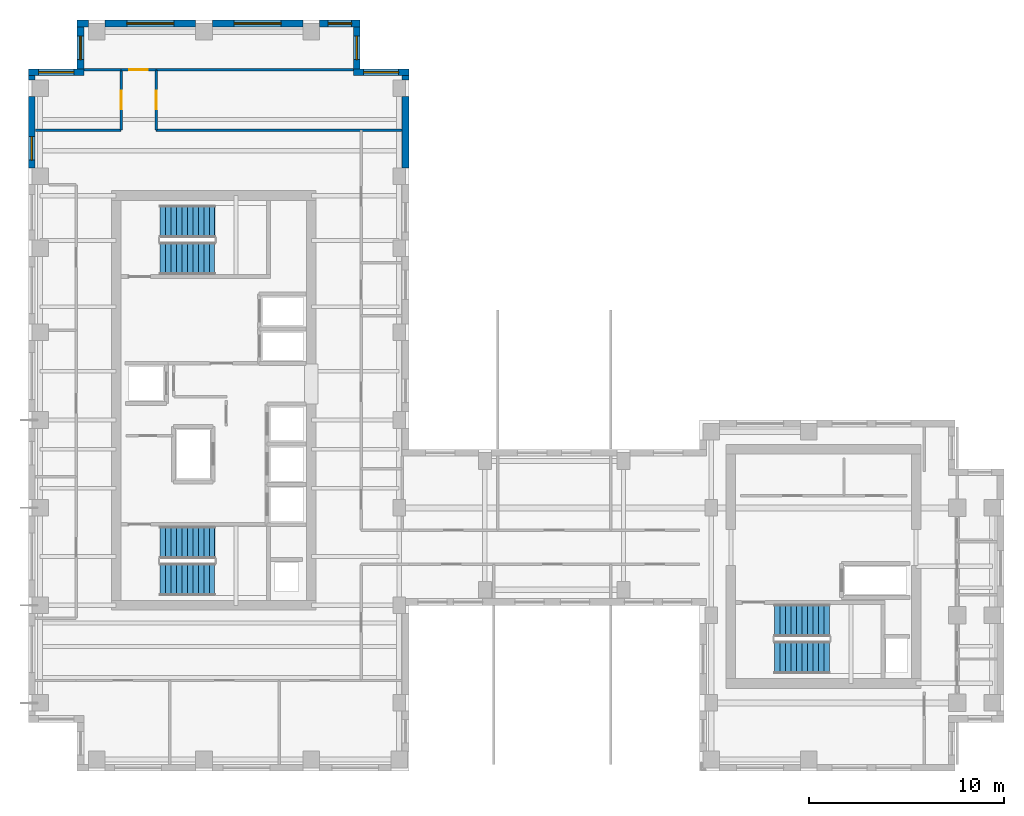
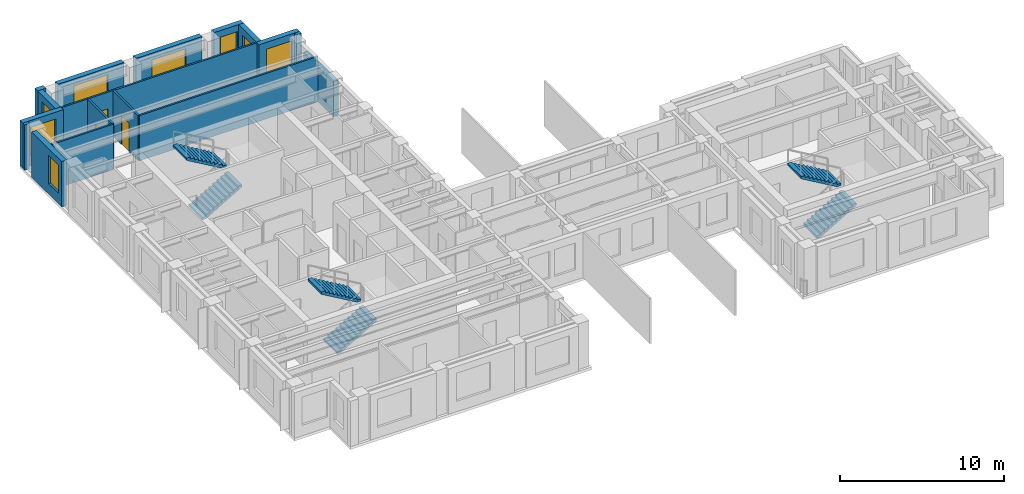
# One storey, part 8 of 10: 19 walls, 8 windows, 6 stair flights, 3 doors, 11 openings, 3 elements without a shape of their own.
"""IFC4 building model written with IfcOpenShell, lengths in metres."""

from ifc_helpers import new_model, si_unit, direction, frame, frame_2d, origin, place, context, subcontext, project, spatial, polyline, rectangle, outline, extrude, source, transform, mapped, material, layer, layer_set, type_object, element, fill, aggregate, save


model = new_model("IFC4")

# Units and contexts
model_context = context("Model", 3, precision=1e-05, world=origin(), true_north=direction((0.0, 1.0)))
body_context = subcontext(model_context, "Body", "Model", "MODEL_VIEW")
ifc_project = project(units=[si_unit("LENGTHUNIT", "METRE"), si_unit("AREAUNIT", "SQUARE_METRE"), si_unit("VOLUMEUNIT", "CUBIC_METRE"), si_unit("PLANEANGLEUNIT", "RADIAN"), si_unit("MASSUNIT", "GRAM", prefix="KILO")], contexts=[model_context])

# Site, building, storey
site_placement = place(None, origin())
site = spatial("IfcSite", under=ifc_project, at=site_placement, CompositionType="ELEMENT")
building_placement = place(site_placement, origin())
building = spatial("IfcBuilding", under=site, at=building_placement, Name="Kharzan Plaza Tower", CompositionType="ELEMENT")
storey_placement = place(building_placement, frame((0.0, 0.0, 230.39990234375)))
storey = spatial("IfcBuildingStorey", under=building, at=storey_placement, Name="L62", CompositionType="ELEMENT", Elevation=230.39990234375)

# Wall, opening, window
ifc_material_1 = material(Name="Concrete C40/50", Category="concrete")
ifc_layer_1 = layer(ifc_material_1, 0.35009765625)
ifc_layer_set_1 = layer_set([ifc_layer_1], Name="Concrete C40/50")
wall_type_1 = type_object("IfcWallType", Name="WL-EXT-MAS-Z4", PredefinedType="SOLIDWALL", material=ifc_layer_set_1)
wall_1_placement = place(storey_placement, frame((19.5, 35.824951171875, 0.0), z_axis=(0.0, 0.0, 1.0), x_axis=(-1.0, 0.0, 0.0)))
wall_1 = element("IfcWall", 1, at=wall_1_placement, inside=storey, type_object=wall_type_1, Name="L62 Masonry-Frame Exterior Wall 07", PredefinedType="SOLIDWALL", context=body_context, shape_type="SweptSolid", body=[
    extrude(rectangle(XDim=2.85009765625, YDim=0.35009765625, at=frame_2d((1.425048828125, 0.0))), origin(), (0.0, 0.0, 1.0), 3.385009765625),
])
opening_1_placement = place(wall_1_placement, frame((0.52490234375, 0.0, 0.780029296875)))
opening_1 = element("IfcOpeningElement", 2, at=opening_1_placement, cuts=wall_1, Name="Opening W1", PredefinedType="OPENING", context=body_context, shape_type="SweptSolid", body=[
    extrude(rectangle(XDim=1.800048828125, YDim=2.10009765625, at=frame_2d((0.89990234375, 1.050048828125))), frame((0.0, 0.18505859375, 0.0), z_axis=(0.0, -1.0, 0.0), x_axis=(1.0, 0.0, 0.0)), (0.0, 0.0, 1.0), 0.3701171875),
])
ifc_material_2 = material(Name="Low-E Double Glazing", Category="glass")
window_type_1 = type_object("IfcWindowType", Name="WN-REC-1800x2100", PartitioningType="SINGLE_PANEL", PredefinedType="WINDOW", material=ifc_material_2)
shared_shape_1 = source(origin(), body_context, "Body", "SweptSolid", [
    extrude(rectangle(XDim=1.800048828125, YDim=2.10009765625, at=frame_2d((0.89990234375, 1.050048828125))), frame((0.0, 0.030029296875, 0.0), z_axis=(0.0, -1.0, 0.0), x_axis=(1.0, 0.0, 0.0)), (0.0, 0.0, 1.0), 0.06005859375),
])
window_1_placement = place(opening_1_placement, origin())
window_1 = element("IfcWindow", 3, at=window_1_placement, inside=storey, type_object=window_type_1, Name="L62 Recessed Solar-Control Window 07-1", OverallHeight=2.10009765625, OverallWidth=1.800048828125, PartitioningType="SINGLE_PANEL", PredefinedType="WINDOW", context=body_context, shape_type="MappedRepresentation", body=[
    mapped(shared_shape_1, transform((0.0, 0.0, 0.0), x_axis=(1.0, 0.0, 0.0), y_axis=(0.0, 1.0, 0.0), z_axis=(0.0, 0.0, 1.0))),
])
fill(opening_1, window_1)

wall_2_placement = place(storey_placement, frame((16.824951171875, 35.998046875, 0.0), z_axis=(0.0, 0.0, 1.0), x_axis=(0.0, 1.0, 0.0)))
wall_2 = element("IfcWall", 4, at=wall_2_placement, inside=storey, type_object=wall_type_1, Name="L62 Masonry-Frame Exterior Wall 08", PredefinedType="SOLIDWALL", context=body_context, shape_type="SweptSolid", body=[
    extrude(rectangle(XDim=2.154052734375, YDim=0.35009765625, at=frame_2d((1.0771484375, 0.0))), origin(), (0.0, 0.0, 1.0), 3.385009765625),
])
opening_2_placement = place(wall_2_placement, frame((0.47705078125, 0.0, 0.780029296875)))
opening_2 = element("IfcOpeningElement", 5, at=opening_2_placement, cuts=wall_2, Name="Opening W3", PredefinedType="OPENING", context=body_context, shape_type="SweptSolid", body=[
    extrude(rectangle(XDim=1.199951171875, YDim=2.10009765625, at=frame_2d((0.60009765625, 1.050048828125))), frame((0.0, 0.18505859375, 0.0), z_axis=(0.0, -1.0, 0.0), x_axis=(1.0, 0.0, 0.0)), (0.0, 0.0, 1.0), 0.3701171875),
])
window_type_2 = type_object("IfcWindowType", Name="WN-REC-1200x2100", PartitioningType="SINGLE_PANEL", PredefinedType="WINDOW", material=ifc_material_2)
shared_shape_2 = source(origin(), body_context, "Body", "SweptSolid", [
    extrude(rectangle(XDim=1.199951171875, YDim=2.10009765625, at=frame_2d((0.60009765625, 1.050048828125))), frame((0.0, 0.030029296875, 0.0), z_axis=(0.0, -1.0, 0.0), x_axis=(1.0, 0.0, 0.0)), (0.0, 0.0, 1.0), 0.06005859375),
])
window_2_placement = place(opening_2_placement, origin())
window_2 = element("IfcWindow", 6, at=window_2_placement, inside=storey, type_object=window_type_2, Name="L62 Recessed Solar-Control Window 08-1", OverallHeight=2.10009765625, OverallWidth=1.199951171875, PartitioningType="SINGLE_PANEL", PredefinedType="WINDOW", context=body_context, shape_type="MappedRepresentation", body=[
    mapped(shared_shape_2, transform((0.0, 0.0, 0.0), x_axis=(1.0, 0.0, 0.0), y_axis=(0.0, 1.0, 0.0), z_axis=(0.0, 0.0, 1.0))),
])
fill(opening_2, window_2)

wall_3_placement = place(storey_placement, frame((17.0, 38.324951171875, 0.0), z_axis=(0.0, 0.0, 1.0), x_axis=(-1.0, 0.0, 0.0)))
wall_3 = element("IfcWall", 7, at=wall_3_placement, inside=storey, type_object=wall_type_1, Name="L62 Masonry-Frame Exterior Wall 09", PredefinedType="SOLIDWALL", context=body_context, shape_type="SweptSolid", body=[
    extrude(rectangle(XDim=2.076904296875, YDim=0.35009765625, at=frame_2d((1.03857421875, 0.0))), origin(), (0.0, 0.0, 1.0), 3.385009765625),
])
opening_3_placement = place(wall_3_placement, frame((0.4384765625, 0.0, 0.780029296875)))
opening_3 = element("IfcOpeningElement", 8, at=opening_3_placement, cuts=wall_3, Name="Opening W3", PredefinedType="OPENING", context=body_context, shape_type="SweptSolid", body=[
    extrude(rectangle(XDim=1.199951171875, YDim=2.10009765625, at=frame_2d((0.60009765625, 1.050048828125))), frame((0.0, 0.18505859375, 0.0), z_axis=(0.0, -1.0, 0.0), x_axis=(1.0, 0.0, 0.0)), (0.0, 0.0, 1.0), 0.3701171875),
])
window_3_placement = place(opening_3_placement, origin())
window_3 = element("IfcWindow", 9, at=window_3_placement, inside=storey, type_object=window_type_2, Name="L62 Recessed Solar-Control Window 09-1", OverallHeight=2.10009765625, OverallWidth=1.199951171875, PartitioningType="SINGLE_PANEL", PredefinedType="WINDOW", context=body_context, shape_type="MappedRepresentation", body=[
    mapped(shared_shape_2, transform((0.0, 0.0, 0.0), x_axis=(1.0, 0.0, 0.0), y_axis=(0.0, 1.0, 0.0), z_axis=(0.0, 0.0, 1.0))),
])
fill(opening_3, window_3)

wall_4_placement = place(storey_placement, frame((14.076904296875, 38.324951171875, 0.0), z_axis=(0.0, 0.0, 1.0), x_axis=(-1.0, 0.0, 0.0)))
wall_4 = element("IfcWall", 10, at=wall_4_placement, inside=storey, type_object=wall_type_1, Name="L62 Masonry-Frame Exterior Wall 10", PredefinedType="SOLIDWALL", context=body_context, shape_type="SweptSolid", body=[
    extrude(rectangle(XDim=4.65380859375, YDim=0.35009765625, at=frame_2d((2.326904296875, 0.0))), origin(), (0.0, 0.0, 1.0), 3.385009765625),
])
opening_4_placement = place(wall_4_placement, frame((1.126953125, 0.0, 0.780029296875)))
opening_4 = element("IfcOpeningElement", 11, at=opening_4_placement, cuts=wall_4, Name="Opening W2", PredefinedType="OPENING", context=body_context, shape_type="SweptSolid", body=[
    extrude(rectangle(XDim=2.39990234375, YDim=2.10009765625, at=frame_2d((1.199951171875, 1.050048828125))), frame((0.0, 0.18505859375, 0.0), z_axis=(0.0, -1.0, 0.0), x_axis=(1.0, 0.0, 0.0)), (0.0, 0.0, 1.0), 0.3701171875),
])
window_type_3 = type_object("IfcWindowType", Name="WN-REC-2400x2100", PartitioningType="SINGLE_PANEL", PredefinedType="WINDOW", material=ifc_material_2)
shared_shape_3 = source(origin(), body_context, "Body", "SweptSolid", [
    extrude(rectangle(XDim=2.39990234375, YDim=2.10009765625, at=frame_2d((1.199951171875, 1.050048828125))), frame((0.0, 0.030029296875, 0.0), z_axis=(0.0, -1.0, 0.0), x_axis=(1.0, 0.0, 0.0)), (0.0, 0.0, 1.0), 0.06005859375),
])
window_4_placement = place(opening_4_placement, origin())
window_4 = element("IfcWindow", 12, at=window_4_placement, inside=storey, type_object=window_type_3, Name="L62 Wide Recessed Solar-Control Window 10-1", OverallHeight=2.10009765625, OverallWidth=2.39990234375, PartitioningType="SINGLE_PANEL", PredefinedType="WINDOW", context=body_context, shape_type="MappedRepresentation", body=[
    mapped(shared_shape_3, transform((0.0, 0.0, 0.0), x_axis=(1.0, 0.0, 0.0), y_axis=(0.0, 1.0, 0.0), z_axis=(0.0, 0.0, 1.0))),
])
fill(opening_4, window_4)

wall_5_placement = place(storey_placement, frame((8.576904296875, 38.324951171875, 0.0), z_axis=(0.0, 0.0, 1.0), x_axis=(-1.0, 0.0, 0.0)))
wall_5 = element("IfcWall", 13, at=wall_5_placement, inside=storey, type_object=wall_type_1, Name="L62 Masonry-Frame Exterior Wall 11", PredefinedType="SOLIDWALL", context=body_context, shape_type="SweptSolid", body=[
    extrude(rectangle(XDim=4.65380859375, YDim=0.35009765625, at=frame_2d((2.326904296875, 0.0))), origin(), (0.0, 0.0, 1.0), 3.385009765625),
])
opening_5_placement = place(wall_5_placement, frame((1.126953125, 0.0, 0.780029296875)))
opening_5 = element("IfcOpeningElement", 14, at=opening_5_placement, cuts=wall_5, Name="Opening W2", PredefinedType="OPENING", context=body_context, shape_type="SweptSolid", body=[
    extrude(rectangle(XDim=2.39990234375, YDim=2.10009765625, at=frame_2d((1.199951171875, 1.050048828125))), frame((0.0, 0.18505859375, 0.0), z_axis=(0.0, -1.0, 0.0), x_axis=(1.0, 0.0, 0.0)), (0.0, 0.0, 1.0), 0.3701171875),
])
window_5_placement = place(opening_5_placement, origin())
window_5 = element("IfcWindow", 15, at=window_5_placement, inside=storey, type_object=window_type_3, Name="L62 Wide Recessed Solar-Control Window 11-1", OverallHeight=2.10009765625, OverallWidth=2.39990234375, PartitioningType="SINGLE_PANEL", PredefinedType="WINDOW", context=body_context, shape_type="MappedRepresentation", body=[
    mapped(shared_shape_3, transform((0.0, 0.0, 0.0), x_axis=(1.0, 0.0, 0.0), y_axis=(0.0, 1.0, 0.0), z_axis=(0.0, 0.0, 1.0))),
])
fill(opening_5, window_5)

wall_6_placement = place(storey_placement, frame((2.675048828125, 38.152099609375, 0.0), z_axis=(0.0, 0.0, 1.0), x_axis=(0.0, -1.0, 0.0)))
wall_6 = element("IfcWall", 16, at=wall_6_placement, inside=storey, type_object=wall_type_1, Name="L62 Masonry-Frame Exterior Wall 13", PredefinedType="SOLIDWALL", context=body_context, shape_type="SweptSolid", body=[
    extrude(rectangle(XDim=2.154052734375, YDim=0.35009765625, at=frame_2d((1.0771484375, 0.0))), origin(), (0.0, 0.0, 1.0), 3.385009765625),
])
opening_6_placement = place(wall_6_placement, frame((0.47705078125, 0.0, 0.780029296875)))
opening_6 = element("IfcOpeningElement", 17, at=opening_6_placement, cuts=wall_6, Name="Opening W3", PredefinedType="OPENING", context=body_context, shape_type="SweptSolid", body=[
    extrude(rectangle(XDim=1.199951171875, YDim=2.10009765625, at=frame_2d((0.60009765625, 1.050048828125))), frame((0.0, 0.18505859375, 0.0), z_axis=(0.0, -1.0, 0.0), x_axis=(1.0, 0.0, 0.0)), (0.0, 0.0, 1.0), 0.3701171875),
])
window_6_placement = place(opening_6_placement, origin())
window_6 = element("IfcWindow", 18, at=window_6_placement, inside=storey, type_object=window_type_2, Name="L62 Recessed Solar-Control Window 13-1", OverallHeight=2.10009765625, OverallWidth=1.199951171875, PartitioningType="SINGLE_PANEL", PredefinedType="WINDOW", context=body_context, shape_type="MappedRepresentation", body=[
    mapped(shared_shape_2, transform((0.0, 0.0, 0.0), x_axis=(1.0, 0.0, 0.0), y_axis=(0.0, 1.0, 0.0), z_axis=(0.0, 0.0, 1.0))),
])
fill(opening_6, window_6)

wall_7_placement = place(storey_placement, frame((2.85009765625, 35.824951171875, 0.0), z_axis=(0.0, 0.0, 1.0), x_axis=(-1.0, 0.0, 0.0)))
wall_7 = element("IfcWall", 19, at=wall_7_placement, inside=storey, type_object=wall_type_1, Name="L62 Masonry-Frame Exterior Wall 14", PredefinedType="SOLIDWALL", context=body_context, shape_type="SweptSolid", body=[
    extrude(rectangle(XDim=2.85009765625, YDim=0.35009765625, at=frame_2d((1.425048828125, 0.0))), origin(), (0.0, 0.0, 1.0), 3.385009765625),
])
opening_7_placement = place(wall_7_placement, frame((0.52490234375, 0.0, 0.780029296875)))
opening_7 = element("IfcOpeningElement", 20, at=opening_7_placement, cuts=wall_7, Name="Opening W1", PredefinedType="OPENING", context=body_context, shape_type="SweptSolid", body=[
    extrude(rectangle(XDim=1.800048828125, YDim=2.10009765625, at=frame_2d((0.89990234375, 1.050048828125))), frame((0.0, 0.18505859375, 0.0), z_axis=(0.0, -1.0, 0.0), x_axis=(1.0, 0.0, 0.0)), (0.0, 0.0, 1.0), 0.3701171875),
])
window_7_placement = place(opening_7_placement, origin())
window_7 = element("IfcWindow", 21, at=window_7_placement, inside=storey, type_object=window_type_1, Name="L62 Recessed Solar-Control Window 14-1", OverallHeight=2.10009765625, OverallWidth=1.800048828125, PartitioningType="SINGLE_PANEL", PredefinedType="WINDOW", context=body_context, shape_type="MappedRepresentation", body=[
    mapped(shared_shape_1, transform((0.0, 0.0, 0.0), x_axis=(1.0, 0.0, 0.0), y_axis=(0.0, 1.0, 0.0), z_axis=(0.0, 0.0, 1.0))),
])
fill(opening_7, window_7)

wall_8_placement = place(storey_placement, frame((0.175048828125, 34.576904296875, 0.0), z_axis=(0.0, 0.0, 1.0), x_axis=(0.0, -1.0, 0.0)))
wall_8 = element("IfcWall", 22, at=wall_8_placement, inside=storey, type_object=wall_type_1, Name="L62 Masonry-Frame Exterior Wall 16", PredefinedType="SOLIDWALL", context=body_context, shape_type="SweptSolid", body=[
    extrude(rectangle(XDim=3.65380859375, YDim=0.35009765625, at=frame_2d((1.826904296875, 0.0))), origin(), (0.0, 0.0, 1.0), 3.385009765625),
])
opening_8_placement = place(wall_8_placement, frame((2.055419921875, 0.0, 0.780029296875)))
opening_8 = element("IfcOpeningElement", 23, at=opening_8_placement, cuts=wall_8, Name="Opening W3", PredefinedType="OPENING", context=body_context, shape_type="SweptSolid", body=[
    extrude(rectangle(XDim=1.199951171875, YDim=2.10009765625, at=frame_2d((0.60009765625, 1.050048828125))), frame((0.0, 0.18505859375, 0.0), z_axis=(0.0, -1.0, 0.0), x_axis=(1.0, 0.0, 0.0)), (0.0, 0.0, 1.0), 0.3701171875),
])
window_8_placement = place(opening_8_placement, origin())
window_8 = element("IfcWindow", 24, at=window_8_placement, inside=storey, type_object=window_type_2, Name="L62 Recessed Solar-Control Window 16-1", OverallHeight=2.10009765625, OverallWidth=1.199951171875, PartitioningType="SINGLE_PANEL", PredefinedType="WINDOW", context=body_context, shape_type="MappedRepresentation", body=[
    mapped(shared_shape_2, transform((0.0, 0.0, 0.0), x_axis=(1.0, 0.0, 0.0), y_axis=(0.0, 1.0, 0.0), z_axis=(0.0, 0.0, 1.0))),
])
fill(opening_8, window_8)

# Wall, opening, door
ifc_material_3 = material(Name="Fire-Rated Gypsum Board Partition", Category="gypsum")
ifc_layer_2 = layer(ifc_material_3, 0.125)
ifc_layer_set_2 = layer_set([ifc_layer_2], Name="Fire-Rated Gypsum Board Partition")
wall_type_2 = type_object("IfcWallType", Name="WL-INT-PART-125", PredefinedType="PARTITIONING", material=ifc_layer_set_2)
wall_9_placement = place(storey_placement, frame((6.550048828125, 32.85009765625, 0.0), z_axis=(0.0, 0.0, 1.0), x_axis=(0.0, 1.0, 0.0)))
wall_9 = element("IfcWall", 25, at=wall_9_placement, inside=storey, type_object=wall_type_2, Name="L62 Interior Partition SH-SPE-1", PredefinedType="PARTITIONING", context=body_context, shape_type="SweptSolid", body=[
    extrude(rectangle(XDim=3.099853515625, YDim=0.125, at=frame_2d((1.5498046875, 0.0))), origin(), (0.0, 0.0, 1.0), 3.385009765625),
])
opening_9_placement = place(wall_9_placement, frame((1.074951171875, 0.0, 0.0)))
opening_9 = element("IfcOpeningElement", 26, at=opening_9_placement, cuts=wall_9, Name="Opening OD1", PredefinedType="OPENING", context=body_context, shape_type="SweptSolid", body=[
    extrude(rectangle(XDim=0.949951171875, YDim=2.14990234375, at=frame_2d((0.47509765625, 1.074951171875))), frame((0.0, 0.072509765625, 0.0), z_axis=(0.0, -1.0, 0.0), x_axis=(1.0, 0.0, 0.0)), (0.0, 0.0, 1.0), 0.14501953125),
])
ifc_material_4 = material(Name="Acoustic Solid-Core Stained Oak", Category="timber")
door_type = type_object("IfcDoorType", Name="DR-OFF-SINGLE", OperationType="NOTDEFINED", PredefinedType="DOOR", material=ifc_material_4)
shared_shape_4 = source(origin(), body_context, "Body", "SweptSolid", [
    extrude(rectangle(XDim=0.949951171875, YDim=2.14990234375, at=frame_2d((0.47509765625, 1.074951171875))), frame((0.0, 0.02490234375, 0.0), z_axis=(0.0, -1.0, 0.0), x_axis=(1.0, 0.0, 0.0)), (0.0, 0.0, 1.0), 0.050048828125),
])
door_1_placement = place(opening_9_placement, origin())
door_1 = element("IfcDoor", 27, at=door_1_placement, inside=storey, type_object=door_type, Name="L62 Materials Testing Lab Door", OperationType="SINGLE_SWING_RIGHT", OverallHeight=2.14990234375, OverallWidth=0.949951171875, PredefinedType="DOOR", context=body_context, shape_type="MappedRepresentation", body=[
    mapped(shared_shape_4, transform((0.0, 0.0, 0.0), x_axis=(1.0, 0.0, 0.0), y_axis=(0.0, 1.0, 0.0), z_axis=(0.0, 0.0, 1.0))),
])
fill(opening_9, door_1)

wall_10_placement = place(storey_placement, frame((4.75, 35.949951171875, 0.0), z_axis=(0.0, 0.0, 1.0), x_axis=(1.0, 0.0, 0.0)))
wall_10 = element("IfcWall", 28, at=wall_10_placement, inside=storey, type_object=wall_type_2, Name="L62 Interior Partition SH-SPHD", PredefinedType="PARTITIONING", context=body_context, shape_type="SweptSolid", body=[
    extrude(rectangle(XDim=1.800048828125, YDim=0.125, at=frame_2d((0.89990234375, 0.0))), origin(), (0.0, 0.0, 1.0), 3.385009765625),
])
opening_10_placement = place(wall_10_placement, frame((0.425048828125, 0.0, 0.0)))
opening_10 = element("IfcOpeningElement", 29, at=opening_10_placement, cuts=wall_10, Name="Opening OD1", PredefinedType="OPENING", context=body_context, shape_type="SweptSolid", body=[
    extrude(rectangle(XDim=0.949951171875, YDim=2.14990234375, at=frame_2d((0.47509765625, 1.074951171875))), frame((0.0, 0.072509765625, 0.0), z_axis=(0.0, -1.0, 0.0), x_axis=(1.0, 0.0, 0.0)), (0.0, 0.0, 1.0), 0.14501953125),
])
door_2_placement = place(opening_10_placement, origin())
door_2 = element("IfcDoor", 30, at=door_2_placement, inside=storey, type_object=door_type, Name="L62 North Boardroom Door", OperationType="SINGLE_SWING_LEFT", OverallHeight=2.14990234375, OverallWidth=0.949951171875, PredefinedType="DOOR", context=body_context, shape_type="MappedRepresentation", body=[
    mapped(shared_shape_4, transform((0.0, 0.0, 0.0), x_axis=(1.0, 0.0, 0.0), y_axis=(0.0, 1.0, 0.0), z_axis=(0.0, 0.0, 1.0))),
])
fill(opening_10, door_2)

wall_11_placement = place(storey_placement, frame((4.75, 32.85009765625, 0.0), z_axis=(0.0, 0.0, 1.0), x_axis=(0.0, 1.0, 0.0)))
wall_11 = element("IfcWall", 31, at=wall_11_placement, inside=storey, type_object=wall_type_2, Name="L62 Interior Partition SH-SPW-1", PredefinedType="PARTITIONING", context=body_context, shape_type="SweptSolid", body=[
    extrude(rectangle(XDim=3.099853515625, YDim=0.125, at=frame_2d((1.5498046875, 0.0))), origin(), (0.0, 0.0, 1.0), 3.385009765625),
])
opening_11_placement = place(wall_11_placement, frame((1.074951171875, 0.0, 0.0)))
opening_11 = element("IfcOpeningElement", 32, at=opening_11_placement, cuts=wall_11, Name="Opening OD1", PredefinedType="OPENING", context=body_context, shape_type="SweptSolid", body=[
    extrude(rectangle(XDim=0.949951171875, YDim=2.14990234375, at=frame_2d((0.47509765625, 1.074951171875))), frame((0.0, 0.072509765625, 0.0), z_axis=(0.0, -1.0, 0.0), x_axis=(1.0, 0.0, 0.0)), (0.0, 0.0, 1.0), 0.14501953125),
])
door_3_placement = place(opening_11_placement, origin())
door_3 = element("IfcDoor", 33, at=door_3_placement, inside=storey, type_object=door_type, Name="L62 Staff Tea Pantry Door", OperationType="SINGLE_SWING_LEFT", OverallHeight=2.14990234375, OverallWidth=0.949951171875, PredefinedType="DOOR", context=body_context, shape_type="MappedRepresentation", body=[
    mapped(shared_shape_4, transform((0.0, 0.0, 0.0), x_axis=(1.0, 0.0, 0.0), y_axis=(0.0, 1.0, 0.0), z_axis=(0.0, 0.0, 1.0))),
])
fill(opening_11, door_3)

# Walls
shared_shape_5 = source(origin(), body_context, "Body", "SweptSolid", [
    extrude(rectangle(XDim=4.39794921875, YDim=0.125, at=frame_2d((2.198974609375, 0.0))), origin(), (0.0, 0.0, 1.0), 3.385009765625),
])
wall_12_placement = place(storey_placement, frame((0.35205078125, 32.85009765625, 0.0), z_axis=(0.0, 0.0, 1.0), x_axis=(1.0, 0.0, 0.0)))
element("IfcWall", 34, at=wall_12_placement, inside=storey, type_object=wall_type_2, Name="L62 Interior Partition SH-NNW", PredefinedType="PARTITIONING", context=body_context, shape_type="MappedRepresentation", body=[
    mapped(shared_shape_5, transform((0.0, 0.0, 0.0), x_axis=(1.0, 0.0, 0.0), y_axis=(0.0, 1.0, 0.0), z_axis=(0.0, 0.0, 1.0))),
])
shared_shape_6 = source(origin(), body_context, "Body", "SweptSolid", [
    extrude(rectangle(XDim=12.597900390625, YDim=0.125, at=frame_2d((6.298828125, 0.0))), origin(), (0.0, 0.0, 1.0), 3.385009765625),
])
wall_13_placement = place(storey_placement, frame((6.550048828125, 32.85009765625, 0.0), z_axis=(0.0, 0.0, 1.0), x_axis=(1.0, 0.0, 0.0)))
element("IfcWall", 35, at=wall_13_placement, inside=storey, type_object=wall_type_2, Name="L62 Interior Partition SH-NNE", PredefinedType="PARTITIONING", context=body_context, shape_type="MappedRepresentation", body=[
    mapped(shared_shape_6, transform((0.0, 0.0, 0.0), x_axis=(1.0, 0.0, 0.0), y_axis=(0.0, 1.0, 0.0), z_axis=(0.0, 0.0, 1.0))),
])
shared_shape_7 = source(origin(), body_context, "Body", "SweptSolid", [
    extrude(rectangle(XDim=0.576904296875, YDim=0.35009765625, at=frame_2d((0.28857421875, 0.0))), origin(), (0.0, 0.0, 1.0), 3.385009765625),
])
wall_14_placement = place(storey_placement, frame((3.076904296875, 38.324951171875, 0.0), z_axis=(0.0, 0.0, 1.0), x_axis=(-1.0, 0.0, 0.0)))
element("IfcWall", 36, at=wall_14_placement, inside=storey, type_object=wall_type_1, Name="L62 Masonry-Frame Exterior Wall 12", PredefinedType="SOLIDWALL", context=body_context, shape_type="MappedRepresentation", body=[
    mapped(shared_shape_7, transform((0.0, 0.0, 0.0), x_axis=(1.0, 0.0, 0.0), y_axis=(0.0, 1.0, 0.0), z_axis=(0.0, 0.0, 1.0))),
])
shared_shape_8 = source(origin(), body_context, "Body", "SweptSolid", [
    extrude(rectangle(XDim=0.22900390625, YDim=0.35009765625, at=frame_2d((0.114501953125, 0.0))), origin(), (0.0, 0.0, 1.0), 3.385009765625),
])
for number, where, z_axis, x_axis, name in (
    (37, (19.324951171875, 35.423095703125, 0.0), (0.0, 0.0, 1.0), (0.0, 1.0, 0.0), "L62 Masonry-Frame Exterior Wall 06"),
    (38, (0.175048828125, 35.652099609375, 0.0), (0.0, 0.0, 1.0), (0.0, -1.0, 0.0), "L62 Masonry-Frame Exterior Wall 15"),
):
    element("IfcWall", number, at=place(storey_placement, frame(where, z_axis=z_axis, x_axis=x_axis)), inside=storey, type_object=wall_type_1, Name=name, PredefinedType="SOLIDWALL", context=body_context, shape_type="MappedRepresentation", body=[
        mapped(shared_shape_8, transform((0.0, 0.0, 0.0), x_axis=(1.0, 0.0, 0.0), y_axis=(0.0, 1.0, 0.0), z_axis=(0.0, 0.0, 1.0))),
    ])
shared_shape_9 = source(origin(), body_context, "Body", "SweptSolid", [
    extrude(rectangle(XDim=3.65380859375, YDim=0.35009765625, at=frame_2d((1.826904296875, 0.0))), origin(), (0.0, 0.0, 1.0), 2.619140625),
])
wall_15_placement = place(storey_placement, frame((19.324951171875, 30.923095703125, 0.0), z_axis=(0.0, 0.0, 1.0), x_axis=(0.0, 1.0, 0.0)))
element("IfcWall", 39, at=wall_15_placement, inside=storey, type_object=wall_type_1, Name="L62 Masonry-Frame Exterior Wall 05", PredefinedType="SOLIDWALL", context=body_context, shape_type="MappedRepresentation", body=[
    mapped(shared_shape_9, transform((0.0, 0.0, 0.0), x_axis=(1.0, 0.0, 0.0), y_axis=(0.0, 1.0, 0.0), z_axis=(0.0, 0.0, 1.0))),
])
shared_shape_10 = source(origin(), body_context, "Body", "SweptSolid", [
    extrude(rectangle(XDim=10.099853515625, YDim=0.125, at=frame_2d((5.0498046875, 0.0))), origin(), (0.0, 0.0, 1.0), 3.385009765625),
])
wall_16_placement = place(storey_placement, frame((6.550048828125, 35.949951171875, 0.0), z_axis=(0.0, 0.0, 1.0), x_axis=(1.0, 0.0, 0.0)))
element("IfcWall", 40, at=wall_16_placement, inside=storey, type_object=wall_type_2, Name="L62 Interior Partition SH-SPHE", PredefinedType="PARTITIONING", context=body_context, shape_type="MappedRepresentation", body=[
    mapped(shared_shape_10, transform((0.0, 0.0, 0.0), x_axis=(1.0, 0.0, 0.0), y_axis=(0.0, 1.0, 0.0), z_axis=(0.0, 0.0, 1.0))),
])
shared_shape_11 = source(origin(), body_context, "Body", "SweptSolid", [
    extrude(rectangle(XDim=1.89990234375, YDim=0.125, at=frame_2d((0.949951171875, 0.0))), origin(), (0.0, 0.0, 1.0), 3.385009765625),
])
wall_17_placement = place(storey_placement, frame((2.85009765625, 35.949951171875, 0.0), z_axis=(0.0, 0.0, 1.0), x_axis=(1.0, 0.0, 0.0)))
element("IfcWall", 41, at=wall_17_placement, inside=storey, type_object=wall_type_2, Name="L62 Interior Partition SH-SPHW", PredefinedType="PARTITIONING", context=body_context, shape_type="MappedRepresentation", body=[
    mapped(shared_shape_11, transform((0.0, 0.0, 0.0), x_axis=(1.0, 0.0, 0.0), y_axis=(0.0, 1.0, 0.0), z_axis=(0.0, 0.0, 1.0))),
])

# Stair, stair flights
stair_type_1 = type_object("IfcStairType", Name="STR-ST-1", PredefinedType="HALF_TURN_STAIR", material=ifc_material_1)
stair_1_placement = place(storey_placement, origin())
stair_1 = element("IfcStair", 42, at=stair_1_placement, inside=storey, type_object=stair_type_1, Name="L62 Protected Exit Stair ST-1", PredefinedType="HALF_TURN_STAIR")
stair_flight_type = type_object("IfcStairFlightType", Name="SFL-1650-R173", PredefinedType="STRAIGHT", material=ifc_material_1)
shared_shape_12 = source(origin(), body_context, "Body", "SweptSolid", [
    extrude(outline(polyline([(-0.0029296875, -0.011962890625), (-0.0029296875, 0.0), (0.0, 0.0), (0.0, 0.16357421875), (0.280029296875, 0.16357421875), (0.280029296875, 0.3271484375), (0.56005859375, 0.3271484375), (0.56005859375, 0.49072265625), (0.840087890625, 0.49072265625), (0.840087890625, 0.654296875), (1.1201171875, 0.654296875), (1.1201171875, 0.81787109375), (1.400146484375, 0.81787109375), (1.400146484375, 0.9814453125), (1.68017578125, 0.9814453125), (1.68017578125, 1.14501953125), (1.960205078125, 1.14501953125), (1.960205078125, 1.30859375), (2.240234375, 1.30859375), (2.240234375, 1.47216796875), (2.520263671875, 1.47216796875), (2.520263671875, 1.6357421875), (2.80029296875, 1.6357421875), (2.80029296875, 1.79931640625), (2.80029296875, 1.462158203125), (0.297119140625, 0.0), (0.297119140625, -0.011962890625), (-0.0029296875, -0.011962890625)])), frame((0.0, 0.824951171875, 0.0), z_axis=(0.0, -1.0, 0.0), x_axis=(1.0, 0.0, 0.0)), (0.0, 0.0, 1.0), 1.64990234375),
])
stair_flight_1_placement = place(storey_placement, frame((6.75, 9.824951171875, 0.0), z_axis=(0.0, 0.0, 1.0), x_axis=(1.0, 0.0, 0.0)))
stair_flight_1 = element("IfcStairFlight", 43, at=stair_flight_1_placement, type_object=stair_flight_type, Name="ST-1 flight 1", NumberOfRisers=11, NumberOfTreads=10, PredefinedType="STRAIGHT", RiserHeight=0.163636364, TreadLength=0.28, context=body_context, shape_type="MappedRepresentation", body=[
    mapped(shared_shape_12, transform((0.0, 0.0, 0.0), x_axis=(1.0, 0.0, 0.0), y_axis=(0.0, 1.0, 0.0), z_axis=(0.0, 0.0, 1.0))),
])
stair_flight_2_placement = place(storey_placement, frame((9.550048828125, 11.72509765625, 1.800048828125), z_axis=(0.0, 0.0, 1.0), x_axis=(-1.0, 0.0, 0.0)))
stair_flight_2 = element("IfcStairFlight", 44, at=stair_flight_2_placement, type_object=stair_flight_type, Name="ST-1 flight 2", NumberOfRisers=11, NumberOfTreads=10, PredefinedType="STRAIGHT", RiserHeight=0.163636364, TreadLength=0.28, context=body_context, shape_type="MappedRepresentation", body=[
    mapped(shared_shape_12, transform((0.0, 0.0, 0.0), x_axis=(1.0, 0.0, 0.0), y_axis=(0.0, 1.0, 0.0), z_axis=(0.0, 0.0, 1.0))),
])
aggregate(stair_1, [stair_flight_1, stair_flight_2])

stair_type_2 = type_object("IfcStairType", Name="STR-ST-2", PredefinedType="HALF_TURN_STAIR", material=ifc_material_1)
stair_2_placement = place(storey_placement, origin())
stair_2 = element("IfcStair", 45, at=stair_2_placement, inside=storey, type_object=stair_type_2, Name="L62 Protected Exit Stair ST-2", PredefinedType="HALF_TURN_STAIR")
stair_flight_3_placement = place(storey_placement, frame((6.75, 26.27490234375, 0.0), z_axis=(0.0, 0.0, 1.0), x_axis=(1.0, 0.0, 0.0)))
stair_flight_3 = element("IfcStairFlight", 46, at=stair_flight_3_placement, type_object=stair_flight_type, Name="ST-2 flight 1", NumberOfRisers=11, NumberOfTreads=10, PredefinedType="STRAIGHT", RiserHeight=0.163636364, TreadLength=0.28, context=body_context, shape_type="MappedRepresentation", body=[
    mapped(shared_shape_12, transform((0.0, 0.0, 0.0), x_axis=(1.0, 0.0, 0.0), y_axis=(0.0, 1.0, 0.0), z_axis=(0.0, 0.0, 1.0))),
])
stair_flight_4_placement = place(storey_placement, frame((9.550048828125, 28.175048828125, 1.800048828125), z_axis=(0.0, 0.0, 1.0), x_axis=(-1.0, 0.0, 0.0)))
stair_flight_4 = element("IfcStairFlight", 47, at=stair_flight_4_placement, type_object=stair_flight_type, Name="ST-2 flight 2", NumberOfRisers=11, NumberOfTreads=10, PredefinedType="STRAIGHT", RiserHeight=0.163636364, TreadLength=0.28, context=body_context, shape_type="MappedRepresentation", body=[
    mapped(shared_shape_12, transform((0.0, 0.0, 0.0), x_axis=(1.0, 0.0, 0.0), y_axis=(0.0, 1.0, 0.0), z_axis=(0.0, 0.0, 1.0))),
])
aggregate(stair_2, [stair_flight_3, stair_flight_4])

stair_type_3 = type_object("IfcStairType", Name="STR-ST-3", PredefinedType="HALF_TURN_STAIR", material=ifc_material_1)
stair_3_placement = place(storey_placement, origin())
stair_3 = element("IfcStair", 48, at=stair_3_placement, inside=storey, type_object=stair_type_3, Name="L62 Protected Exit Stair ST-3", PredefinedType="HALF_TURN_STAIR")
stair_flight_5_placement = place(storey_placement, frame((38.25, 5.824951171875, 0.0), z_axis=(0.0, 0.0, 1.0), x_axis=(1.0, 0.0, 0.0)))
stair_flight_5 = element("IfcStairFlight", 49, at=stair_flight_5_placement, type_object=stair_flight_type, Name="ST-3 flight 1", NumberOfRisers=11, NumberOfTreads=10, PredefinedType="STRAIGHT", RiserHeight=0.163636364, TreadLength=0.28, context=body_context, shape_type="MappedRepresentation", body=[
    mapped(shared_shape_12, transform((0.0, 0.0, 0.0), x_axis=(1.0, 0.0, 0.0), y_axis=(0.0, 1.0, 0.0), z_axis=(0.0, 0.0, 1.0))),
])
stair_flight_6_placement = place(storey_placement, frame((41.050048828125, 7.72509765625, 1.800048828125), z_axis=(0.0, 0.0, 1.0), x_axis=(-1.0, 0.0, 0.0)))
stair_flight_6 = element("IfcStairFlight", 50, at=stair_flight_6_placement, type_object=stair_flight_type, Name="ST-3 flight 2", NumberOfRisers=11, NumberOfTreads=10, PredefinedType="STRAIGHT", RiserHeight=0.163636364, TreadLength=0.28, context=body_context, shape_type="MappedRepresentation", body=[
    mapped(shared_shape_12, transform((0.0, 0.0, 0.0), x_axis=(1.0, 0.0, 0.0), y_axis=(0.0, 1.0, 0.0), z_axis=(0.0, 0.0, 1.0))),
])
aggregate(stair_3, [stair_flight_5, stair_flight_6])

save(model, "model.ifc")
